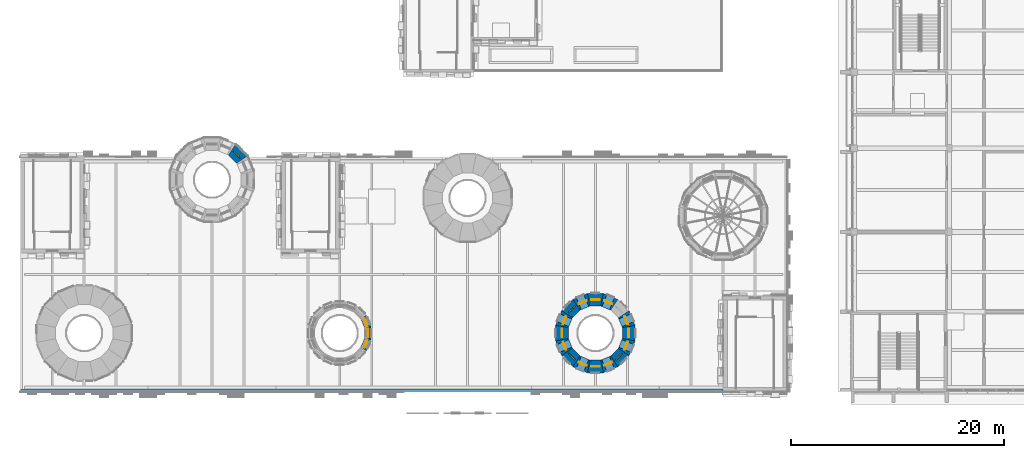
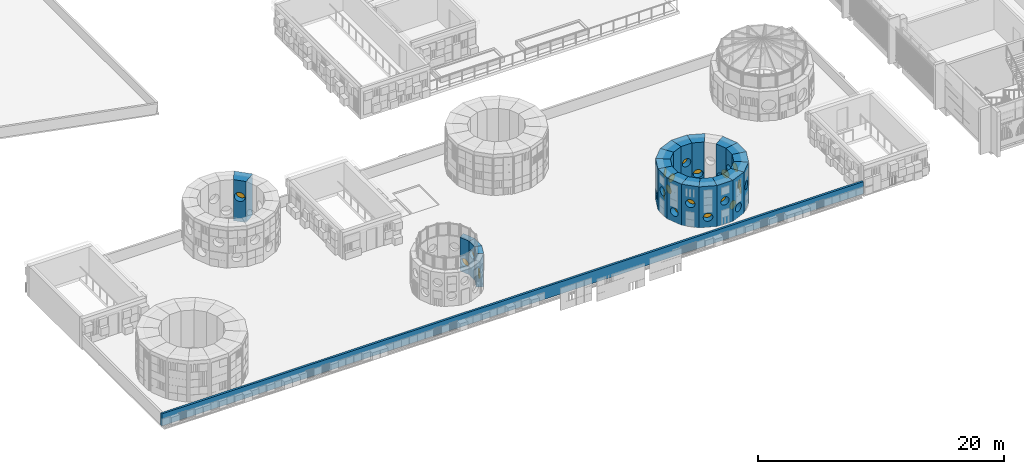
# One storey, part 51 of 98: 20 walls, 19 windows, 19 openings.
"""IFC4 building model written with IfcOpenShell, lengths in metres."""

from ifc_helpers import new_model, si_unit, direction, frame, frame_2d, origin, place, context, subcontext, project, spatial, polyline, rectangle, circle, outline, extrude, material, layer, layer_set, type_object, element, fill, save


model = new_model("IFC4")

# Units and contexts
model_context = context("Model", 3, precision=1e-05, world=origin(), true_north=direction((0.0, 1.0)))
body_context = subcontext(model_context, "Body", "Model", "MODEL_VIEW")
ifc_project = project(units=[si_unit("LENGTHUNIT", "METRE"), si_unit("AREAUNIT", "SQUARE_METRE"), si_unit("VOLUMEUNIT", "CUBIC_METRE"), si_unit("PLANEANGLEUNIT", "RADIAN"), si_unit("MASSUNIT", "GRAM", prefix="KILO")], contexts=[model_context])

# Site, building, storey
site_placement = place(None, origin())
site = spatial("IfcSite", under=ifc_project, at=site_placement, CompositionType="ELEMENT")
building_placement = place(site_placement, origin())
building = spatial("IfcBuilding", under=site, at=building_placement, Name="Sun Court Science Centre", CompositionType="ELEMENT")
storey_placement = place(building_placement, frame((0.0, 0.0, 15.75)))
storey = spatial("IfcBuildingStorey", under=building, at=storey_placement, Name="L03", CompositionType="ELEMENT", Elevation=15.75)

# Wall, opening, window
ifc_material_1 = material(Name="Concrete C30/37", Category="concrete")
ifc_layer_1 = layer(ifc_material_1, 1.18798828125)
ifc_layer_set_1 = layer_set([ifc_layer_1], Name="Concrete C30/37")
wall_type_1 = type_object("IfcWallType", Name="RC cone ring wall exterior 1188", PredefinedType="SHEAR", material=ifc_layer_set_1)
wall_1_placement = place(storey_placement, frame((20.90576171875, 27.7021484375, 0.110107421875), z_axis=(0.0, 0.0, 1.0), x_axis=(-0.707184987986, 0.707028565737, 0.0)))
wall_1 = element("IfcWall", 1, at=wall_1_placement, inside=storey, type_object=wall_type_1, Name="Cone 2 ring wall L03 segment 2", PredefinedType="SHEAR", context=body_context, shape_type="SweptSolid", body=[
    extrude(outline(polyline([(0.0, -0.59423828125), (1.560546875, -0.594482421875), (1.32421875, 0.59423828125), (0.236572265625, 0.59423828125), (0.0, -0.59423828125)])), origin(), (0.0, 0.0, 1.0), 4.08984375),
])
opening_1_placement = place(wall_1_placement, frame((0.330322265625, 0.0, 2.0)))
opening_1 = element("IfcOpeningElement", 2, at=opening_1_placement, cuts=wall_1, Name="Opening WN-L03-009", PredefinedType="OPENING", context=body_context, shape_type="SweptSolid", body=[
    extrude(circle(Radius=0.449951171875, at=frame_2d((0.449951171875, 0.449951171875))), frame((0.0, 0.604248046875, 0.0), z_axis=(0.0, -1.0, 0.0), x_axis=(1.0, 0.0, 0.0)), (0.0, 0.0, 1.0), 1.20849609375),
])
ifc_material_2 = material(Name="Aluminium frame, 6-12-6 glazing", Category="aluminium")
window_type_1 = type_object("IfcWindowType", Name="Round porthole 900", PartitioningType="SINGLE_PANEL", PredefinedType="WINDOW", material=ifc_material_2)
window_1_placement = place(opening_1_placement, origin())
window_1 = element("IfcWindow", 3, at=window_1_placement, inside=storey, type_object=window_type_1, Name="Round porthole cone 2 ring 4 02", OverallHeight=0.89990234375, OverallWidth=0.89990234375, PartitioningType="SINGLE_PANEL", PredefinedType="WINDOW", context=body_context, shape_type="SweptSolid", body=[
    extrude(circle(Radius=0.449951171875, at=frame_2d((0.449951171875, 0.449951171875))), frame((0.0, 0.030029296875, 0.0), z_axis=(0.0, -1.0, 0.0), x_axis=(1.0, 0.0, 0.0)), (0.0, 0.0, 1.0), 0.06005859375),
])
fill(opening_1, window_1)

wall_2_placement = place(storey_placement, frame((57.177978515625, 12.013916015625, 0.110107421875), z_axis=(0.0, 0.0, 1.0), x_axis=(-0.382662027742, 0.923888398306, 0.0)))
wall_2 = element("IfcWall", 4, at=wall_2_placement, inside=storey, type_object=wall_type_1, Name="Cone 5 ring wall L03 segment 1", PredefinedType="SHEAR", context=body_context, shape_type="SweptSolid", body=[
    extrude(outline(polyline([(0.0, -0.59423828125), (1.482666015625, -0.59423828125), (1.246337890625, 0.59423828125), (0.236328125, 0.59423828125), (0.0, -0.59423828125)])), origin(), (0.0, 0.0, 1.0), 4.08984375),
])
opening_2_placement = place(wall_2_placement, frame((0.34130859375, 0.0, 0.60009765625)))
opening_2 = element("IfcOpeningElement", 5, at=opening_2_placement, cuts=wall_2, Name="Opening WN-L03-033", PredefinedType="OPENING", context=body_context, shape_type="SweptSolid", body=[
    extrude(circle(Radius=0.39990234375, at=frame_2d((0.39990234375, 0.39990234375))), frame((0.0, 0.604248046875, 0.0), z_axis=(0.0, -1.0, 0.0), x_axis=(1.0, 0.0, 0.0)), (0.0, 0.0, 1.0), 1.20849609375),
])
ifc_material_3 = material(Name="Aluminium frame, 6-12-6 glazing", Category="aluminium")
window_type_2 = type_object("IfcWindowType", Name="Round porthole 800", PartitioningType="SINGLE_PANEL", PredefinedType="WINDOW", material=ifc_material_3)
window_2_placement = place(opening_2_placement, origin())
window_2 = element("IfcWindow", 6, at=window_2_placement, inside=storey, type_object=window_type_2, Name="Round porthole cone 5 ring 4 01", OverallHeight=0.800048828125, OverallWidth=0.800048828125, PartitioningType="SINGLE_PANEL", PredefinedType="WINDOW", context=body_context, shape_type="SweptSolid", body=[
    extrude(circle(Radius=0.39990234375, at=frame_2d((0.39990234375, 0.39990234375))), frame((0.0, 0.030029296875, 0.0), z_axis=(0.0, -1.0, 0.0), x_axis=(1.0, 0.0, 0.0)), (0.0, 0.0, 1.0), 0.06005859375),
])
fill(opening_2, window_2)

wall_3_placement = place(storey_placement, frame((55.8837890625, 14.110595703125, 0.110107421875), z_axis=(0.0, 0.0, 1.0), x_axis=(-0.923888398306, 0.382662027742, 0.0)))
wall_3 = element("IfcWall", 7, at=wall_3_placement, inside=storey, type_object=wall_type_1, Name="Cone 5 ring wall L03 segment 3", PredefinedType="SHEAR", context=body_context, shape_type="SweptSolid", body=[
    extrude(outline(polyline([(0.0, -0.59423828125), (1.48291015625, -0.59423828125), (1.246337890625, 0.59423828125), (0.236328125, 0.59423828125), (0.0, -0.59423828125)])), origin(), (0.0, 0.0, 1.0), 4.08984375),
])
opening_3_placement = place(wall_3_placement, frame((0.34130859375, 0.0, 0.60009765625)))
opening_3 = element("IfcOpeningElement", 8, at=opening_3_placement, cuts=wall_3, Name="Opening WN-L03-034", PredefinedType="OPENING", context=body_context, shape_type="SweptSolid", body=[
    extrude(circle(Radius=0.39990234375, at=frame_2d((0.39990234375, 0.39990234375))), frame((0.0, 0.604248046875, 0.0), z_axis=(0.0, -1.0, 0.0), x_axis=(1.0, 0.0, 0.0)), (0.0, 0.0, 1.0), 1.20849609375),
])
window_3_placement = place(opening_3_placement, origin())
window_3 = element("IfcWindow", 9, at=window_3_placement, inside=storey, type_object=window_type_2, Name="Round porthole cone 5 ring 4 03", OverallHeight=0.800048828125, OverallWidth=0.800048828125, PartitioningType="SINGLE_PANEL", PredefinedType="WINDOW", context=body_context, shape_type="SweptSolid", body=[
    extrude(circle(Radius=0.39990234375, at=frame_2d((0.39990234375, 0.39990234375))), frame((0.0, 0.030029296875, 0.0), z_axis=(0.0, -1.0, 0.0), x_axis=(1.0, 0.0, 0.0)), (0.0, 0.0, 1.0), 0.06005859375),
])
fill(opening_3, window_3)

wall_4_placement = place(storey_placement, frame((54.741455078125, 14.6328125, 0.110107421875), z_axis=(0.0, 0.0, 1.0), x_axis=(-1.0, 0.0, 0.0)))
wall_4 = element("IfcWall", 10, at=wall_4_placement, inside=storey, type_object=wall_type_1, Name="Cone 5 ring wall L03 segment 4", PredefinedType="SHEAR", context=body_context, shape_type="SweptSolid", body=[
    extrude(outline(polyline([(0.000244140625, -0.59423828125), (1.482666015625, -0.59423828125), (1.246337890625, 0.59423828125), (0.236572265625, 0.59423828125), (0.000244140625, -0.59423828125)])), origin(), (0.0, 0.0, 1.0), 4.08984375),
])
opening_4_placement = place(wall_4_placement, frame((0.34130859375, 0.0, 1.89990234375)))
opening_4 = element("IfcOpeningElement", 11, at=opening_4_placement, cuts=wall_4, Name="Opening WN-L03-042", PredefinedType="OPENING", context=body_context, shape_type="SweptSolid", body=[
    extrude(circle(Radius=0.39990234375, at=frame_2d((0.39990234375, 0.39990234375))), frame((0.0, 0.604248046875, 0.0), z_axis=(0.0, -1.0, 0.0), x_axis=(1.0, 0.0, 0.0)), (0.0, 0.0, 1.0), 1.20849609375),
])
window_4_placement = place(opening_4_placement, origin())
window_4 = element("IfcWindow", 12, at=window_4_placement, inside=storey, type_object=window_type_2, Name="Round porthole cone 5 ring 4 04", OverallHeight=0.800048828125, OverallWidth=0.800048828125, PartitioningType="SINGLE_PANEL", PredefinedType="WINDOW", context=body_context, shape_type="SweptSolid", body=[
    extrude(circle(Radius=0.39990234375, at=frame_2d((0.39990234375, 0.39990234375))), frame((0.0, 0.030029296875, 0.0), z_axis=(0.0, -1.0, 0.0), x_axis=(1.0, 0.0, 0.0)), (0.0, 0.0, 1.0), 0.06005859375),
])
fill(opening_4, window_4)

wall_5_placement = place(storey_placement, frame((53.486083984375, 14.677978515625, 0.110107421875), z_axis=(0.0, 0.0, 1.0), x_axis=(-0.923888398306, -0.382662027742, 0.0)))
wall_5 = element("IfcWall", 13, at=wall_5_placement, inside=storey, type_object=wall_type_1, Name="Cone 5 ring wall L03 segment 5", PredefinedType="SHEAR", context=body_context, shape_type="SweptSolid", body=[
    extrude(outline(polyline([(0.0, -0.59423828125), (1.482666015625, -0.59423828125), (1.246337890625, 0.59423828125), (0.236328125, 0.59423828125), (0.0, -0.59423828125)])), origin(), (0.0, 0.0, 1.0), 4.08984375),
])
opening_5_placement = place(wall_5_placement, frame((0.34130859375, 0.0, 0.60009765625)))
opening_5 = element("IfcOpeningElement", 14, at=opening_5_placement, cuts=wall_5, Name="Opening WN-L03-035", PredefinedType="OPENING", context=body_context, shape_type="SweptSolid", body=[
    extrude(circle(Radius=0.39990234375, at=frame_2d((0.39990234375, 0.39990234375))), frame((0.0, 0.604248046875, 0.0), z_axis=(0.0, -1.0, 0.0), x_axis=(1.0, 0.0, 0.0)), (0.0, 0.0, 1.0), 1.20849609375),
])
window_5_placement = place(opening_5_placement, origin())
window_5 = element("IfcWindow", 15, at=window_5_placement, inside=storey, type_object=window_type_2, Name="Round porthole cone 5 ring 4 05", OverallHeight=0.800048828125, OverallWidth=0.800048828125, PartitioningType="SINGLE_PANEL", PredefinedType="WINDOW", context=body_context, shape_type="SweptSolid", body=[
    extrude(circle(Radius=0.39990234375, at=frame_2d((0.39990234375, 0.39990234375))), frame((0.0, 0.030029296875, 0.0), z_axis=(0.0, -1.0, 0.0), x_axis=(1.0, 0.0, 0.0)), (0.0, 0.0, 1.0), 0.06005859375),
])
fill(opening_5, window_5)

wall_6_placement = place(storey_placement, frame((52.30908203125, 14.239501953125, 0.110107421875), z_axis=(0.0, 0.0, 1.0), x_axis=(-0.707106781187, -0.707106781187, 0.0)))
wall_6 = element("IfcWall", 16, at=wall_6_placement, inside=storey, type_object=wall_type_1, Name="Cone 5 ring wall L03 segment 6", PredefinedType="SHEAR", context=body_context, shape_type="SweptSolid", body=[
    extrude(outline(polyline([(0.0, -0.59423828125), (1.48291015625, -0.59423828125), (1.246337890625, 0.59423828125), (0.236572265625, 0.59423828125), (0.0, -0.59423828125)])), origin(), (0.0, 0.0, 1.0), 4.08984375),
])
opening_6_placement = place(wall_6_placement, frame((0.34130859375, 0.0, 1.89990234375)))
opening_6 = element("IfcOpeningElement", 17, at=opening_6_placement, cuts=wall_6, Name="Opening WN-L03-043", PredefinedType="OPENING", context=body_context, shape_type="SweptSolid", body=[
    extrude(circle(Radius=0.39990234375, at=frame_2d((0.39990234375, 0.39990234375))), frame((0.0, 0.604248046875, 0.0), z_axis=(0.0, -1.0, 0.0), x_axis=(1.0, 0.0, 0.0)), (0.0, 0.0, 1.0), 1.20849609375),
])
window_6_placement = place(opening_6_placement, origin())
window_6 = element("IfcWindow", 18, at=window_6_placement, inside=storey, type_object=window_type_2, Name="Round porthole cone 5 ring 4 06", OverallHeight=0.800048828125, OverallWidth=0.800048828125, PartitioningType="SINGLE_PANEL", PredefinedType="WINDOW", context=body_context, shape_type="SweptSolid", body=[
    extrude(circle(Radius=0.39990234375, at=frame_2d((0.39990234375, 0.39990234375))), frame((0.0, 0.030029296875, 0.0), z_axis=(0.0, -1.0, 0.0), x_axis=(1.0, 0.0, 0.0)), (0.0, 0.0, 1.0), 0.06005859375),
])
fill(opening_6, window_6)

wall_7_placement = place(storey_placement, frame((51.389404296875, 13.3837890625, 0.110107421875), z_axis=(0.0, 0.0, 1.0), x_axis=(-0.382662027742, -0.923888398306, 0.0)))
wall_7 = element("IfcWall", 19, at=wall_7_placement, inside=storey, type_object=wall_type_1, Name="Cone 5 ring wall L03 segment 7", PredefinedType="SHEAR", context=body_context, shape_type="SweptSolid", body=[
    extrude(outline(polyline([(0.0, -0.59423828125), (1.48291015625, -0.59423828125), (1.246337890625, 0.59423828125), (0.236328125, 0.59423828125), (0.0, -0.59423828125)])), origin(), (0.0, 0.0, 1.0), 4.08984375),
])
opening_7_placement = place(wall_7_placement, frame((0.34130859375, 0.0, 0.60009765625)))
opening_7 = element("IfcOpeningElement", 20, at=opening_7_placement, cuts=wall_7, Name="Opening WN-L03-036", PredefinedType="OPENING", context=body_context, shape_type="SweptSolid", body=[
    extrude(circle(Radius=0.39990234375, at=frame_2d((0.39990234375, 0.39990234375))), frame((0.0, 0.604248046875, 0.0), z_axis=(0.0, -1.0, 0.0), x_axis=(1.0, 0.0, 0.0)), (0.0, 0.0, 1.0), 1.20849609375),
])
window_7_placement = place(opening_7_placement, origin())
window_7 = element("IfcWindow", 21, at=window_7_placement, inside=storey, type_object=window_type_2, Name="Round porthole cone 5 ring 4 07", OverallHeight=0.800048828125, OverallWidth=0.800048828125, PartitioningType="SINGLE_PANEL", PredefinedType="WINDOW", context=body_context, shape_type="SweptSolid", body=[
    extrude(circle(Radius=0.39990234375, at=frame_2d((0.39990234375, 0.39990234375))), frame((0.0, 0.030029296875, 0.0), z_axis=(0.0, -1.0, 0.0), x_axis=(1.0, 0.0, 0.0)), (0.0, 0.0, 1.0), 0.06005859375),
])
fill(opening_7, window_7)

wall_8_placement = place(storey_placement, frame((50.8671875, 12.241455078125, 0.110107421875), z_axis=(0.0, 0.0, 1.0), x_axis=(0.0, -1.0, 0.0)))
wall_8 = element("IfcWall", 22, at=wall_8_placement, inside=storey, type_object=wall_type_1, Name="Cone 5 ring wall L03 segment 8", PredefinedType="SHEAR", context=body_context, shape_type="SweptSolid", body=[
    extrude(outline(polyline([(0.000244140625, -0.59423828125), (1.482666015625, -0.59423828125), (1.246337890625, 0.59423828125), (0.236572265625, 0.59423828125), (0.000244140625, -0.59423828125)])), origin(), (0.0, 0.0, 1.0), 4.08984375),
])
opening_8_placement = place(wall_8_placement, frame((0.34130859375, 0.0, 1.89990234375)))
opening_8 = element("IfcOpeningElement", 23, at=opening_8_placement, cuts=wall_8, Name="Opening WN-L03-044", PredefinedType="OPENING", context=body_context, shape_type="SweptSolid", body=[
    extrude(circle(Radius=0.39990234375, at=frame_2d((0.39990234375, 0.39990234375))), frame((0.0, 0.604248046875, 0.0), z_axis=(0.0, -1.0, 0.0), x_axis=(1.0, 0.0, 0.0)), (0.0, 0.0, 1.0), 1.20849609375),
])
window_8_placement = place(opening_8_placement, origin())
window_8 = element("IfcWindow", 24, at=window_8_placement, inside=storey, type_object=window_type_2, Name="Round porthole cone 5 ring 4 08", OverallHeight=0.800048828125, OverallWidth=0.800048828125, PartitioningType="SINGLE_PANEL", PredefinedType="WINDOW", context=body_context, shape_type="SweptSolid", body=[
    extrude(circle(Radius=0.39990234375, at=frame_2d((0.39990234375, 0.39990234375))), frame((0.0, 0.030029296875, 0.0), z_axis=(0.0, -1.0, 0.0), x_axis=(1.0, 0.0, 0.0)), (0.0, 0.0, 1.0), 0.06005859375),
])
fill(opening_8, window_8)

wall_9_placement = place(storey_placement, frame((50.822021484375, 10.986083984375, 0.110107421875), z_axis=(0.0, 0.0, 1.0), x_axis=(0.382662027742, -0.923888398306, 0.0)))
wall_9 = element("IfcWall", 25, at=wall_9_placement, inside=storey, type_object=wall_type_1, Name="Cone 5 ring wall L03 segment 9", PredefinedType="SHEAR", context=body_context, shape_type="SweptSolid", body=[
    extrude(outline(polyline([(0.0, -0.59423828125), (1.482666015625, -0.59423828125), (1.246337890625, 0.59423828125), (0.236328125, 0.59423828125), (0.0, -0.59423828125)])), origin(), (0.0, 0.0, 1.0), 4.08984375),
])
opening_9_placement = place(wall_9_placement, frame((0.34130859375, 0.0, 0.60009765625)))
opening_9 = element("IfcOpeningElement", 26, at=opening_9_placement, cuts=wall_9, Name="Opening WN-L03-037", PredefinedType="OPENING", context=body_context, shape_type="SweptSolid", body=[
    extrude(circle(Radius=0.39990234375, at=frame_2d((0.39990234375, 0.39990234375))), frame((0.0, 0.604248046875, 0.0), z_axis=(0.0, -1.0, 0.0), x_axis=(1.0, 0.0, 0.0)), (0.0, 0.0, 1.0), 1.20849609375),
])
window_9_placement = place(opening_9_placement, origin())
window_9 = element("IfcWindow", 27, at=window_9_placement, inside=storey, type_object=window_type_2, Name="Round porthole cone 5 ring 4 09", OverallHeight=0.800048828125, OverallWidth=0.800048828125, PartitioningType="SINGLE_PANEL", PredefinedType="WINDOW", context=body_context, shape_type="SweptSolid", body=[
    extrude(circle(Radius=0.39990234375, at=frame_2d((0.39990234375, 0.39990234375))), frame((0.0, 0.030029296875, 0.0), z_axis=(0.0, -1.0, 0.0), x_axis=(1.0, 0.0, 0.0)), (0.0, 0.0, 1.0), 0.06005859375),
])
fill(opening_9, window_9)

wall_10_placement = place(storey_placement, frame((51.260498046875, 9.80908203125, 0.110107421875), z_axis=(0.0, 0.0, 1.0), x_axis=(0.707106781187, -0.707106781187, 0.0)))
wall_10 = element("IfcWall", 28, at=wall_10_placement, inside=storey, type_object=wall_type_1, Name="Cone 5 ring wall L03 segment 10", PredefinedType="SHEAR", context=body_context, shape_type="SweptSolid", body=[
    extrude(outline(polyline([(0.0, -0.59423828125), (1.48291015625, -0.59423828125), (1.246337890625, 0.59423828125), (0.236572265625, 0.59423828125), (0.0, -0.59423828125)])), origin(), (0.0, 0.0, 1.0), 4.08984375),
])
opening_10_placement = place(wall_10_placement, frame((0.34130859375, 0.0, 1.89990234375)))
opening_10 = element("IfcOpeningElement", 29, at=opening_10_placement, cuts=wall_10, Name="Opening WN-L03-045", PredefinedType="OPENING", context=body_context, shape_type="SweptSolid", body=[
    extrude(circle(Radius=0.39990234375, at=frame_2d((0.39990234375, 0.39990234375))), frame((0.0, 0.604248046875, 0.0), z_axis=(0.0, -1.0, 0.0), x_axis=(1.0, 0.0, 0.0)), (0.0, 0.0, 1.0), 1.20849609375),
])
window_10_placement = place(opening_10_placement, origin())
window_10 = element("IfcWindow", 30, at=window_10_placement, inside=storey, type_object=window_type_2, Name="Round porthole cone 5 ring 4 10", OverallHeight=0.800048828125, OverallWidth=0.800048828125, PartitioningType="SINGLE_PANEL", PredefinedType="WINDOW", context=body_context, shape_type="SweptSolid", body=[
    extrude(circle(Radius=0.39990234375, at=frame_2d((0.39990234375, 0.39990234375))), frame((0.0, 0.030029296875, 0.0), z_axis=(0.0, -1.0, 0.0), x_axis=(1.0, 0.0, 0.0)), (0.0, 0.0, 1.0), 0.06005859375),
])
fill(opening_10, window_10)

wall_11_placement = place(storey_placement, frame((52.1162109375, 8.889404296875, 0.110107421875), z_axis=(0.0, 0.0, 1.0), x_axis=(0.923888398306, -0.382662027742, 0.0)))
wall_11 = element("IfcWall", 31, at=wall_11_placement, inside=storey, type_object=wall_type_1, Name="Cone 5 ring wall L03 segment 11", PredefinedType="SHEAR", context=body_context, shape_type="SweptSolid", body=[
    extrude(outline(polyline([(0.0, -0.59423828125), (1.48291015625, -0.59423828125), (1.246337890625, 0.59423828125), (0.236328125, 0.59423828125), (0.0, -0.59423828125)])), origin(), (0.0, 0.0, 1.0), 4.08984375),
])
opening_11_placement = place(wall_11_placement, frame((0.34130859375, 0.0, 0.60009765625)))
opening_11 = element("IfcOpeningElement", 32, at=opening_11_placement, cuts=wall_11, Name="Opening WN-L03-038", PredefinedType="OPENING", context=body_context, shape_type="SweptSolid", body=[
    extrude(circle(Radius=0.39990234375, at=frame_2d((0.39990234375, 0.39990234375))), frame((0.0, 0.604248046875, 0.0), z_axis=(0.0, -1.0, 0.0), x_axis=(1.0, 0.0, 0.0)), (0.0, 0.0, 1.0), 1.20849609375),
])
window_11_placement = place(opening_11_placement, origin())
window_11 = element("IfcWindow", 33, at=window_11_placement, inside=storey, type_object=window_type_2, Name="Round porthole cone 5 ring 4 11", OverallHeight=0.800048828125, OverallWidth=0.800048828125, PartitioningType="SINGLE_PANEL", PredefinedType="WINDOW", context=body_context, shape_type="SweptSolid", body=[
    extrude(circle(Radius=0.39990234375, at=frame_2d((0.39990234375, 0.39990234375))), frame((0.0, 0.030029296875, 0.0), z_axis=(0.0, -1.0, 0.0), x_axis=(1.0, 0.0, 0.0)), (0.0, 0.0, 1.0), 0.06005859375),
])
fill(opening_11, window_11)

wall_12_placement = place(storey_placement, frame((53.258544921875, 8.3671875, 0.110107421875), z_axis=(0.0, 0.0, 1.0), x_axis=(1.0, 0.0, 0.0)))
wall_12 = element("IfcWall", 34, at=wall_12_placement, inside=storey, type_object=wall_type_1, Name="Cone 5 ring wall L03 segment 12", PredefinedType="SHEAR", context=body_context, shape_type="SweptSolid", body=[
    extrude(outline(polyline([(0.000244140625, -0.59423828125), (1.482666015625, -0.59423828125), (1.246337890625, 0.59423828125), (0.236572265625, 0.59423828125), (0.000244140625, -0.59423828125)])), origin(), (0.0, 0.0, 1.0), 4.08984375),
])
opening_12_placement = place(wall_12_placement, frame((0.34130859375, 0.0, 1.89990234375)))
opening_12 = element("IfcOpeningElement", 35, at=opening_12_placement, cuts=wall_12, Name="Opening WN-L03-046", PredefinedType="OPENING", context=body_context, shape_type="SweptSolid", body=[
    extrude(circle(Radius=0.39990234375, at=frame_2d((0.39990234375, 0.39990234375))), frame((0.0, 0.604248046875, 0.0), z_axis=(0.0, -1.0, 0.0), x_axis=(1.0, 0.0, 0.0)), (0.0, 0.0, 1.0), 1.20849609375),
])
window_12_placement = place(opening_12_placement, origin())
window_12 = element("IfcWindow", 36, at=window_12_placement, inside=storey, type_object=window_type_2, Name="Round porthole cone 5 ring 4 12", OverallHeight=0.800048828125, OverallWidth=0.800048828125, PartitioningType="SINGLE_PANEL", PredefinedType="WINDOW", context=body_context, shape_type="SweptSolid", body=[
    extrude(circle(Radius=0.39990234375, at=frame_2d((0.39990234375, 0.39990234375))), frame((0.0, 0.030029296875, 0.0), z_axis=(0.0, -1.0, 0.0), x_axis=(1.0, 0.0, 0.0)), (0.0, 0.0, 1.0), 0.06005859375),
])
fill(opening_12, window_12)

wall_13_placement = place(storey_placement, frame((54.513916015625, 8.322021484375, 0.110107421875), z_axis=(0.0, 0.0, 1.0), x_axis=(0.923888398306, 0.382662027742, 0.0)))
wall_13 = element("IfcWall", 37, at=wall_13_placement, inside=storey, type_object=wall_type_1, Name="Cone 5 ring wall L03 segment 13", PredefinedType="SHEAR", context=body_context, shape_type="SweptSolid", body=[
    extrude(outline(polyline([(0.0, -0.59423828125), (1.482666015625, -0.59423828125), (1.246337890625, 0.59423828125), (0.236328125, 0.59423828125), (0.0, -0.59423828125)])), origin(), (0.0, 0.0, 1.0), 4.08984375),
])
opening_13_placement = place(wall_13_placement, frame((0.34130859375, 0.0, 0.60009765625)))
opening_13 = element("IfcOpeningElement", 38, at=opening_13_placement, cuts=wall_13, Name="Opening WN-L03-039", PredefinedType="OPENING", context=body_context, shape_type="SweptSolid", body=[
    extrude(circle(Radius=0.39990234375, at=frame_2d((0.39990234375, 0.39990234375))), frame((0.0, 0.604248046875, 0.0), z_axis=(0.0, -1.0, 0.0), x_axis=(1.0, 0.0, 0.0)), (0.0, 0.0, 1.0), 1.20849609375),
])
window_13_placement = place(opening_13_placement, origin())
window_13 = element("IfcWindow", 39, at=window_13_placement, inside=storey, type_object=window_type_2, Name="Round porthole cone 5 ring 4 13", OverallHeight=0.800048828125, OverallWidth=0.800048828125, PartitioningType="SINGLE_PANEL", PredefinedType="WINDOW", context=body_context, shape_type="SweptSolid", body=[
    extrude(circle(Radius=0.39990234375, at=frame_2d((0.39990234375, 0.39990234375))), frame((0.0, 0.030029296875, 0.0), z_axis=(0.0, -1.0, 0.0), x_axis=(1.0, 0.0, 0.0)), (0.0, 0.0, 1.0), 0.06005859375),
])
fill(opening_13, window_13)

wall_14_placement = place(storey_placement, frame((55.69091796875, 8.760498046875, 0.110107421875), z_axis=(0.0, 0.0, 1.0), x_axis=(0.707106781187, 0.707106781187, 0.0)))
wall_14 = element("IfcWall", 40, at=wall_14_placement, inside=storey, type_object=wall_type_1, Name="Cone 5 ring wall L03 segment 14", PredefinedType="SHEAR", context=body_context, shape_type="SweptSolid", body=[
    extrude(outline(polyline([(0.0, -0.59423828125), (1.48291015625, -0.59423828125), (1.246337890625, 0.59423828125), (0.236572265625, 0.59423828125), (0.0, -0.59423828125)])), origin(), (0.0, 0.0, 1.0), 4.08984375),
])
opening_14_placement = place(wall_14_placement, frame((0.34130859375, 0.0, 1.89990234375)))
opening_14 = element("IfcOpeningElement", 41, at=opening_14_placement, cuts=wall_14, Name="Opening WN-L03-047", PredefinedType="OPENING", context=body_context, shape_type="SweptSolid", body=[
    extrude(circle(Radius=0.39990234375, at=frame_2d((0.39990234375, 0.39990234375))), frame((0.0, 0.604248046875, 0.0), z_axis=(0.0, -1.0, 0.0), x_axis=(1.0, 0.0, 0.0)), (0.0, 0.0, 1.0), 1.20849609375),
])
window_14_placement = place(opening_14_placement, origin())
window_14 = element("IfcWindow", 42, at=window_14_placement, inside=storey, type_object=window_type_2, Name="Round porthole cone 5 ring 4 14", OverallHeight=0.800048828125, OverallWidth=0.800048828125, PartitioningType="SINGLE_PANEL", PredefinedType="WINDOW", context=body_context, shape_type="SweptSolid", body=[
    extrude(circle(Radius=0.39990234375, at=frame_2d((0.39990234375, 0.39990234375))), frame((0.0, 0.030029296875, 0.0), z_axis=(0.0, -1.0, 0.0), x_axis=(1.0, 0.0, 0.0)), (0.0, 0.0, 1.0), 0.06005859375),
])
fill(opening_14, window_14)

wall_15_placement = place(storey_placement, frame((56.610595703125, 9.6162109375, 0.110107421875), z_axis=(0.0, 0.0, 1.0), x_axis=(0.382662027742, 0.923888398306, 0.0)))
wall_15 = element("IfcWall", 43, at=wall_15_placement, inside=storey, type_object=wall_type_1, Name="Cone 5 ring wall L03 segment 15", PredefinedType="SHEAR", context=body_context, shape_type="SweptSolid", body=[
    extrude(outline(polyline([(0.0, -0.59423828125), (1.48291015625, -0.59423828125), (1.246337890625, 0.59423828125), (0.236328125, 0.59423828125), (0.0, -0.59423828125)])), origin(), (0.0, 0.0, 1.0), 4.08984375),
])
opening_15_placement = place(wall_15_placement, frame((0.34130859375, 0.0, 0.60009765625)))
opening_15 = element("IfcOpeningElement", 44, at=opening_15_placement, cuts=wall_15, Name="Opening WN-L03-040", PredefinedType="OPENING", context=body_context, shape_type="SweptSolid", body=[
    extrude(circle(Radius=0.39990234375, at=frame_2d((0.39990234375, 0.39990234375))), frame((0.0, 0.604248046875, 0.0), z_axis=(0.0, -1.0, 0.0), x_axis=(1.0, 0.0, 0.0)), (0.0, 0.0, 1.0), 1.20849609375),
])
window_15_placement = place(opening_15_placement, origin())
window_15 = element("IfcWindow", 45, at=window_15_placement, inside=storey, type_object=window_type_2, Name="Round porthole cone 5 ring 4 15", OverallHeight=0.800048828125, OverallWidth=0.800048828125, PartitioningType="SINGLE_PANEL", PredefinedType="WINDOW", context=body_context, shape_type="SweptSolid", body=[
    extrude(circle(Radius=0.39990234375, at=frame_2d((0.39990234375, 0.39990234375))), frame((0.0, 0.030029296875, 0.0), z_axis=(0.0, -1.0, 0.0), x_axis=(1.0, 0.0, 0.0)), (0.0, 0.0, 1.0), 0.06005859375),
])
fill(opening_15, window_15)

wall_16_placement = place(storey_placement, frame((57.1328125, 10.758544921875, 0.110107421875), z_axis=(0.0, 0.0, 1.0), x_axis=(0.0, 1.0, 0.0)))
wall_16 = element("IfcWall", 46, at=wall_16_placement, inside=storey, type_object=wall_type_1, Name="Cone 5 ring wall L03 segment 16", PredefinedType="SHEAR", context=body_context, shape_type="SweptSolid", body=[
    extrude(outline(polyline([(0.000244140625, -0.59423828125), (1.482666015625, -0.59423828125), (1.246337890625, 0.59423828125), (0.236572265625, 0.59423828125), (0.000244140625, -0.59423828125)])), origin(), (0.0, 0.0, 1.0), 4.08984375),
])
opening_16_placement = place(wall_16_placement, frame((0.34130859375, 0.0, 1.89990234375)))
opening_16 = element("IfcOpeningElement", 47, at=opening_16_placement, cuts=wall_16, Name="Opening WN-L03-048", PredefinedType="OPENING", context=body_context, shape_type="SweptSolid", body=[
    extrude(circle(Radius=0.39990234375, at=frame_2d((0.39990234375, 0.39990234375))), frame((0.0, 0.604248046875, 0.0), z_axis=(0.0, -1.0, 0.0), x_axis=(1.0, 0.0, 0.0)), (0.0, 0.0, 1.0), 1.20849609375),
])
window_16_placement = place(opening_16_placement, origin())
window_16 = element("IfcWindow", 48, at=window_16_placement, inside=storey, type_object=window_type_2, Name="Round porthole cone 5 ring 4 16", OverallHeight=0.800048828125, OverallWidth=0.800048828125, PartitioningType="SINGLE_PANEL", PredefinedType="WINDOW", context=body_context, shape_type="SweptSolid", body=[
    extrude(circle(Radius=0.39990234375, at=frame_2d((0.39990234375, 0.39990234375))), frame((0.0, 0.030029296875, 0.0), z_axis=(0.0, -1.0, 0.0), x_axis=(1.0, 0.0, 0.0)), (0.0, 0.0, 1.0), 0.06005859375),
])
fill(opening_16, window_16)

ifc_material_4 = material(Name="Concrete C30/37", Category="concrete")
ifc_layer_2 = layer(ifc_material_4, 0.60009765625)
ifc_layer_set_2 = layer_set([ifc_layer_2], Name="Concrete C30/37")
wall_type_2 = type_object("IfcWallType", Name="RC cone ring wall exterior 600", PredefinedType="SHEAR", material=ifc_layer_set_2)
wall_17_placement = place(storey_placement, frame((32.665283203125, 11.970458984375, 0.110107421875), z_axis=(0.0, 0.0, 1.0), x_axis=(-0.382689470177, 0.923877031545, 0.0)))
wall_17 = element("IfcWall", 49, at=wall_17_placement, inside=storey, type_object=wall_type_2, Name="Cone 3 ring wall L03 segment 1", PredefinedType="SHEAR", context=body_context, shape_type="SweptSolid", body=[
    extrude(outline(polyline([(0.0, -0.2998046875), (1.170654296875, -0.2998046875), (1.05126953125, 0.300048828125), (0.119384765625, 0.30029296875), (0.0, -0.2998046875)])), origin(), (0.0, 0.0, 1.0), 3.33984375),
])
opening_17_placement = place(wall_17_placement, frame((0.185302734375, 0.0, 0.60009765625)))
opening_17 = element("IfcOpeningElement", 50, at=opening_17_placement, cuts=wall_17, Name="Opening WN-L03-017", PredefinedType="OPENING", context=body_context, shape_type="SweptSolid", body=[
    extrude(circle(Radius=0.39990234375, at=frame_2d((0.39990234375, 0.39990234375))), frame((0.0, 0.31005859375, 0.0), z_axis=(0.0, -1.0, 0.0), x_axis=(1.0, 0.0, 0.0)), (0.0, 0.0, 1.0), 0.6201171875),
])
window_17_placement = place(opening_17_placement, origin())
window_17 = element("IfcWindow", 51, at=window_17_placement, inside=storey, type_object=window_type_2, Name="Round porthole cone 3 ring 4 01", OverallHeight=0.800048828125, OverallWidth=0.800048828125, PartitioningType="SINGLE_PANEL", PredefinedType="WINDOW", context=body_context, shape_type="SweptSolid", body=[
    extrude(circle(Radius=0.39990234375, at=frame_2d((0.39990234375, 0.39990234375))), frame((0.0, 0.030029296875, 0.0), z_axis=(0.0, -1.0, 0.0), x_axis=(1.0, 0.0, 0.0)), (0.0, 0.0, 1.0), 0.06005859375),
])
fill(opening_17, window_17)

wall_18_placement = place(storey_placement, frame((32.21728515625, 9.947998046875, 0.110107421875), z_axis=(0.0, 0.0, 1.0), x_axis=(0.382689470177, 0.923877031545, 0.0)))
wall_18 = element("IfcWall", 52, at=wall_18_placement, inside=storey, type_object=wall_type_2, Name="Cone 3 ring wall L03 segment 15", PredefinedType="SHEAR", context=body_context, shape_type="SweptSolid", body=[
    extrude(outline(polyline([(0.0, -0.2998046875), (1.170654296875, -0.2998046875), (1.05126953125, 0.30029296875), (0.119384765625, 0.300048828125), (0.0, -0.2998046875)])), origin(), (0.0, 0.0, 1.0), 3.33984375),
])
opening_18_placement = place(wall_18_placement, frame((0.185302734375, 0.0, 0.60009765625)))
opening_18 = element("IfcOpeningElement", 53, at=opening_18_placement, cuts=wall_18, Name="Opening WN-L03-024", PredefinedType="OPENING", context=body_context, shape_type="SweptSolid", body=[
    extrude(circle(Radius=0.39990234375, at=frame_2d((0.39990234375, 0.39990234375))), frame((0.0, 0.31005859375, 0.0), z_axis=(0.0, -1.0, 0.0), x_axis=(1.0, 0.0, 0.0)), (0.0, 0.0, 1.0), 0.6201171875),
])
window_18_placement = place(opening_18_placement, origin())
window_18 = element("IfcWindow", 54, at=window_18_placement, inside=storey, type_object=window_type_2, Name="Round porthole cone 3 ring 4 15", OverallHeight=0.800048828125, OverallWidth=0.800048828125, PartitioningType="SINGLE_PANEL", PredefinedType="WINDOW", context=body_context, shape_type="SweptSolid", body=[
    extrude(circle(Radius=0.39990234375, at=frame_2d((0.39990234375, 0.39990234375))), frame((0.0, 0.030029296875, 0.0), z_axis=(0.0, -1.0, 0.0), x_axis=(1.0, 0.0, 0.0)), (0.0, 0.0, 1.0), 0.06005859375),
])
fill(opening_18, window_18)

wall_19_placement = place(storey_placement, frame((32.642333984375, 10.914794921875, 0.110107421875), z_axis=(0.0, 0.0, 1.0), x_axis=(0.0, 1.0, 0.0)))
wall_19 = element("IfcWall", 55, at=wall_19_placement, inside=storey, type_object=wall_type_2, Name="Cone 3 ring wall L03 segment 16", PredefinedType="SHEAR", context=body_context, shape_type="SweptSolid", body=[
    extrude(outline(polyline([(0.0, -0.300048828125), (1.17041015625, -0.300048828125), (1.051025390625, 0.300048828125), (0.119384765625, 0.300048828125), (0.0, -0.300048828125)])), origin(), (0.0, 0.0, 1.0), 3.33984375),
])
opening_19_placement = place(wall_19_placement, frame((0.185302734375, 0.0, 1.89990234375)))
opening_19 = element("IfcOpeningElement", 56, at=opening_19_placement, cuts=wall_19, Name="Opening WN-L03-032", PredefinedType="OPENING", context=body_context, shape_type="SweptSolid", body=[
    extrude(circle(Radius=0.39990234375, at=frame_2d((0.39990234375, 0.39990234375))), frame((0.0, 0.31005859375, 0.0), z_axis=(0.0, -1.0, 0.0), x_axis=(1.0, 0.0, 0.0)), (0.0, 0.0, 1.0), 0.6201171875),
])
window_19_placement = place(opening_19_placement, origin())
window_19 = element("IfcWindow", 57, at=window_19_placement, inside=storey, type_object=window_type_2, Name="Round porthole cone 3 ring 4 16", OverallHeight=0.800048828125, OverallWidth=0.800048828125, PartitioningType="SINGLE_PANEL", PredefinedType="WINDOW", context=body_context, shape_type="SweptSolid", body=[
    extrude(circle(Radius=0.39990234375, at=frame_2d((0.39990234375, 0.39990234375))), frame((0.0, 0.030029296875, 0.0), z_axis=(0.0, -1.0, 0.0), x_axis=(1.0, 0.0, 0.0)), (0.0, 0.0, 1.0), 0.06005859375),
])
fill(opening_19, window_19)

# Wall
ifc_material_5 = material(Name="Concrete C30/37", Category="concrete")
ifc_layer_3 = layer(ifc_material_5, 0.199951171875)
ifc_layer_set_3 = layer_set([ifc_layer_3], Name="Concrete C30/37")
wall_type_3 = type_object("IfcWallType", Name="RC parapet 200", PredefinedType="PARAPET", material=ifc_layer_set_3)
wall_20_placement = place(storey_placement, frame((66.0, 6.10009765625, 0.0), z_axis=(0.0, 0.0, 1.0), x_axis=(-1.0, 0.0, 0.0)))
element("IfcWall", 58, at=wall_20_placement, inside=storey, type_object=wall_type_3, Name="Roof parapet south face 01", PredefinedType="PARAPET", context=body_context, shape_type="SweptSolid", body=[
    extrude(rectangle(XDim=66.0, YDim=0.199951171875, at=frame_2d((33.0, 0.0))), origin(), (0.0, 0.0, 1.0), 1.199951171875),
])

save(model, "model.ifc")
